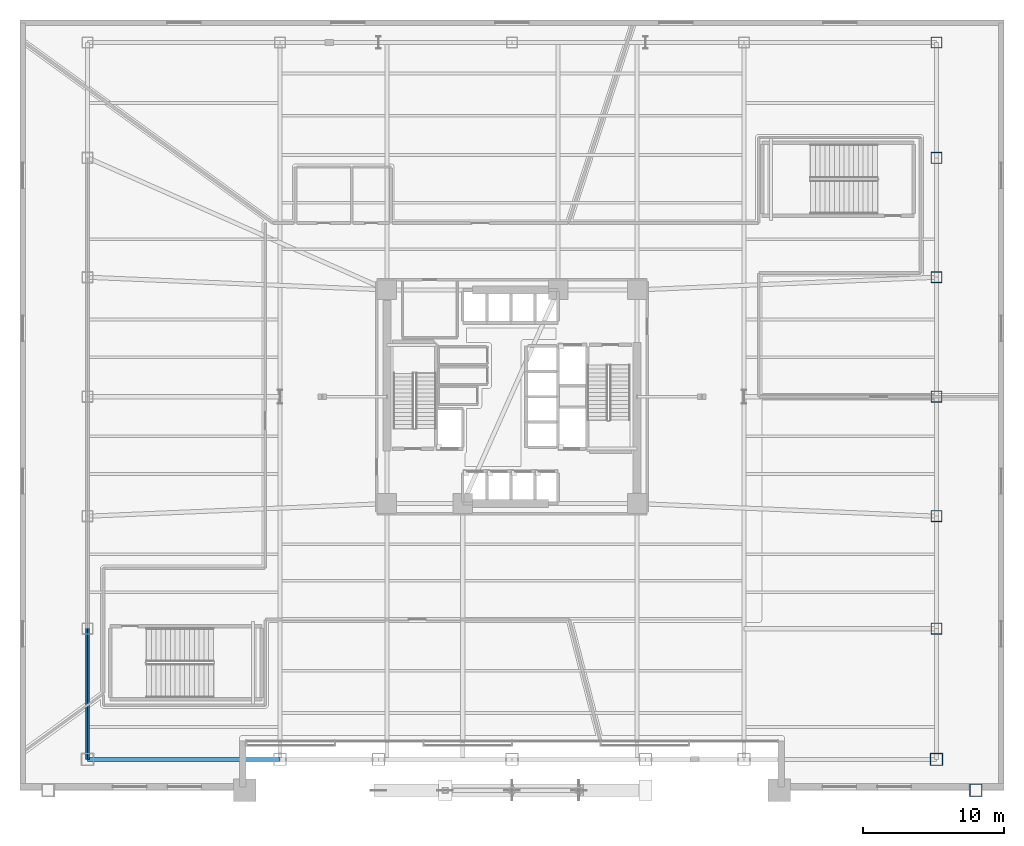
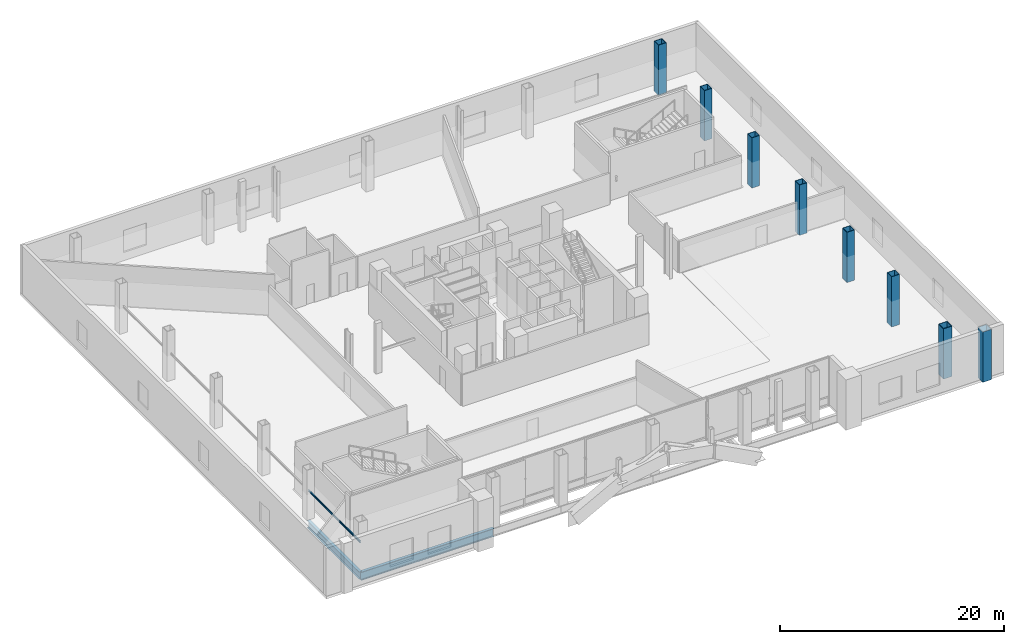
# One storey, part 2 of 19: 8 columns, 2 beams, 1 member.
"""IFC4 building model written with IfcOpenShell, lengths in metres."""

from ifc_helpers import new_model, si_unit, direction, frame, origin, origin_2d, place, context, subcontext, project, spatial, hollow_rectangle, i_section, extrude, material, material_profile, profile_set, type_object, element, save


model = new_model("IFC4")

# Units and contexts
model_context = context("Model", 3, precision=1e-05, world=origin(), true_north=direction((0.0, 1.0)))
body_context = subcontext(model_context, "Body", "Model", "MODEL_VIEW")
ifc_project = project(units=[si_unit("LENGTHUNIT", "METRE"), si_unit("AREAUNIT", "SQUARE_METRE"), si_unit("VOLUMEUNIT", "CUBIC_METRE"), si_unit("PLANEANGLEUNIT", "RADIAN"), si_unit("MASSUNIT", "GRAM", prefix="KILO")], contexts=[model_context])

# Site, building, storey
site_placement = place(None, origin())
site = spatial("IfcSite", under=ifc_project, at=site_placement, CompositionType="ELEMENT")
building_placement = place(site_placement, origin())
building = spatial("IfcBuilding", under=site, at=building_placement, Name="Tharavind Bronze Gate", CompositionType="ELEMENT")
storey_placement = place(building_placement, frame((0.0, 0.0, 11.0)))
storey = spatial("IfcBuildingStorey", under=building, at=storey_placement, Name="L02", CompositionType="ELEMENT", Elevation=11.0)

# Columns
ifc_material_1 = material(Name="Steel S460", Category="steel")
ifc_material_profile_1 = material_profile(ifc_material_1, hollow_rectangle(XDim=0.800048828125, YDim=0.800048828125, WallThickness=0.044921875, at=origin_2d()), Name="SHS800X45")
ifc_profile_set_1 = profile_set([ifc_material_profile_1], Name="Steel S460")
column_type_1 = type_object("IfcColumnType", Name="PERIMETER BOX COLUMN SHS800", PredefinedType="COLUMN", material=ifc_profile_set_1)
for number, where, z_axis, x_axis, name in (
    (1, (30.199951171875, 25.199951171875, 0.0), (0.0, 0.0, 1.0), (1.0, 0.0, 0.0), "L02 podium column PN70"),
    (2, (30.199951171875, -16.5, 0.0), (0.0, 0.0, 1.0), (1.0, 0.0, 0.0), "L02 podium column PE14"),
    (3, (30.199951171875, -8.5, 0.0), (0.0, 0.0, 1.0), (1.0, 0.0, 0.0), "L02 podium column PE22"),
    (4, (30.199951171875, 0.0, 0.0), (0.0, 0.0, 1.0), (1.0, 0.0, 0.0), "L02 podium column PE30"),
    (5, (30.199951171875, 8.5, 0.0), (0.0, 0.0, 1.0), (1.0, 0.0, 0.0), "L02 podium column PE38"),
    (6, (30.199951171875, 17.0, 0.0), (0.0, 0.0, 1.0), (1.0, 0.0, 0.0), "L02 podium column PE47"),
):
    element("IfcColumn", number, at=place(storey_placement, frame(where, z_axis=z_axis, x_axis=x_axis)), inside=storey, type_object=column_type_1, Name=name, PredefinedType="COLUMN", context=body_context, shape_type="SweptSolid", body=[
        extrude(hollow_rectangle(XDim=0.800048828125, YDim=0.800048828125, WallThickness=0.044921875, at=origin_2d()), origin(), (0.0, 0.0, 1.0), 5.5),
    ])
ifc_material_profile_2 = material_profile(ifc_material_1, hollow_rectangle(XDim=0.89990234375, YDim=0.89990234375, WallThickness=0.050048828125, at=origin_2d()), Name="SHS900X50")
ifc_profile_set_2 = profile_set([ifc_material_profile_2], Name="Steel S460")
column_type_2 = type_object("IfcColumnType", Name="PERIMETER BOX COLUMN SHS900", PredefinedType="COLUMN", material=ifc_profile_set_2)
for number, where, z_axis, x_axis, name in (
    (7, (30.199951171875, -25.800048828125, 0.0), (0.0, 0.0, 1.0), (1.0, 0.0, 0.0), "L02 podium column PS70"),
    (8, (33.0, -28.0, 0.0), (0.0, 0.0, 1.0), (1.0, 0.0, 0.0), "L02 podium column CRNS4"),
):
    element("IfcColumn", number, at=place(storey_placement, frame(where, z_axis=z_axis, x_axis=x_axis)), inside=storey, type_object=column_type_2, Name=name, PredefinedType="COLUMN", context=body_context, shape_type="SweptSolid", body=[
        extrude(hollow_rectangle(XDim=0.89990234375, YDim=0.89990234375, WallThickness=0.050048828125, at=origin_2d()), origin(), (0.0, 0.0, 1.0), 5.5),
    ])

# Beam
ifc_material_2 = material(Name="Steel S355", Category="steel")
ifc_material_profile_3 = material_profile(ifc_material_2, i_section(OverallWidth=0.300048828125, OverallDepth=0.800048828125, WebThickness=0.017578125, FlangeThickness=0.032958984375, at=origin_2d()), Name="HE800B")
ifc_profile_set_3 = profile_set([ifc_material_profile_3], Name="Steel S355")
beam_type_1 = type_object("IfcBeamType", Name="RING GIRDER HE800B", PredefinedType="USERDEFINED", material=ifc_profile_set_3)
beam_1_placement = place(storey_placement, frame((-30.199951171875, -25.800048828125, -0.679931640625), z_axis=(0.0, 1.0, 0.0), x_axis=(-1.0, 0.0, 0.0)))
element("IfcBeam", 9, at=beam_1_placement, inside=storey, type_object=beam_type_1, Name="L02 ring girder he800b BM-L02-PW1", ObjectType="GIRDER", PredefinedType="USERDEFINED", context=body_context, shape_type="SweptSolid", body=[
    extrude(i_section(OverallWidth=0.300048828125, OverallDepth=0.800048828125, WebThickness=0.017578125, FlangeThickness=0.032958984375, at=origin_2d()), origin(), (0.0, 0.0, 1.0), 9.300048828125),
])

# Member
ifc_material_3 = material(Name="Anodised Bronze Aluminium", Category="aluminium")
ifc_material_profile_4 = material_profile(ifc_material_3, i_section(OverallWidth=0.10009765625, OverallDepth=0.199951171875, WebThickness=0.005615234375, FlangeThickness=0.008544921875, at=origin_2d()), Name="IPE200")
ifc_profile_set_4 = profile_set([ifc_material_profile_4], Name="Anodised Bronze Aluminium")
member_type = type_object("IfcMemberType", Name="SOLAR LOUVRE BLADE", PredefinedType="USERDEFINED", material=ifc_profile_set_4)
member_placement = place(storey_placement, frame((-30.199951171875, -25.800048828125, 2.949951171875), z_axis=(0.0, 1.0, 0.0), x_axis=(-1.0, 0.0, 0.0)))
element("IfcMember", 10, at=member_placement, inside=storey, type_object=member_type, Name="L02 west gallery solar louvre 1", ObjectType="SOLAR LOUVRE", PredefinedType="USERDEFINED", context=body_context, shape_type="SweptSolid", body=[
    extrude(i_section(OverallWidth=0.10009765625, OverallDepth=0.199951171875, WebThickness=0.005615234375, FlangeThickness=0.008544921875, at=origin_2d()), origin(), (0.0, 0.0, 1.0), 9.300048828125),
])

# Beam
ifc_material_profile_5 = material_profile(ifc_material_2, i_section(OverallWidth=0.300048828125, OverallDepth=0.89990234375, WebThickness=0.0185546875, FlangeThickness=0.034912109375, at=origin_2d()), Name="HE900B")
ifc_profile_set_5 = profile_set([ifc_material_profile_5], Name="Steel S355")
beam_type_2 = type_object("IfcBeamType", Name="SPANDREL RING BEAM HE900B", PredefinedType="SPANDREL", material=ifc_profile_set_5)
beam_2_placement = place(storey_placement, frame((-30.199951171875, -25.800048828125, -0.72998046875), z_axis=(1.0, 0.0, 0.0), x_axis=(0.0, 1.0, 0.0)))
element("IfcBeam", 11, at=beam_2_placement, inside=storey, type_object=beam_type_2, Name="L02 spandrel ring beam he900b BM-L02-PS1", PredefinedType="SPANDREL", context=body_context, shape_type="SweptSolid", body=[
    extrude(i_section(OverallWidth=0.300048828125, OverallDepth=0.89990234375, WebThickness=0.0185546875, FlangeThickness=0.034912109375, at=origin_2d()), origin(), (0.0, 0.0, 1.0), 13.699951171875),
])

save(model, "model.ifc")
